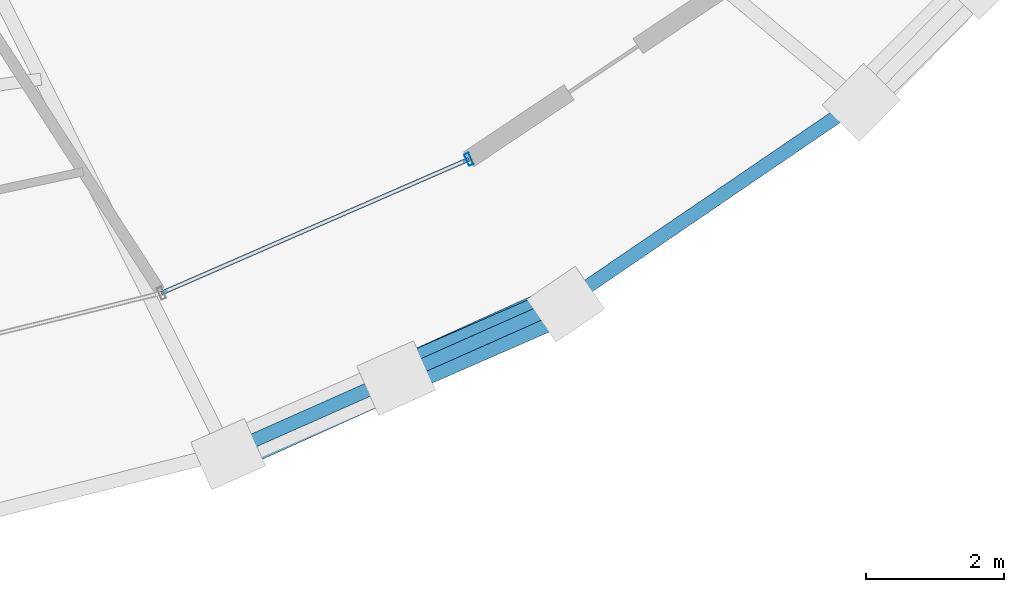
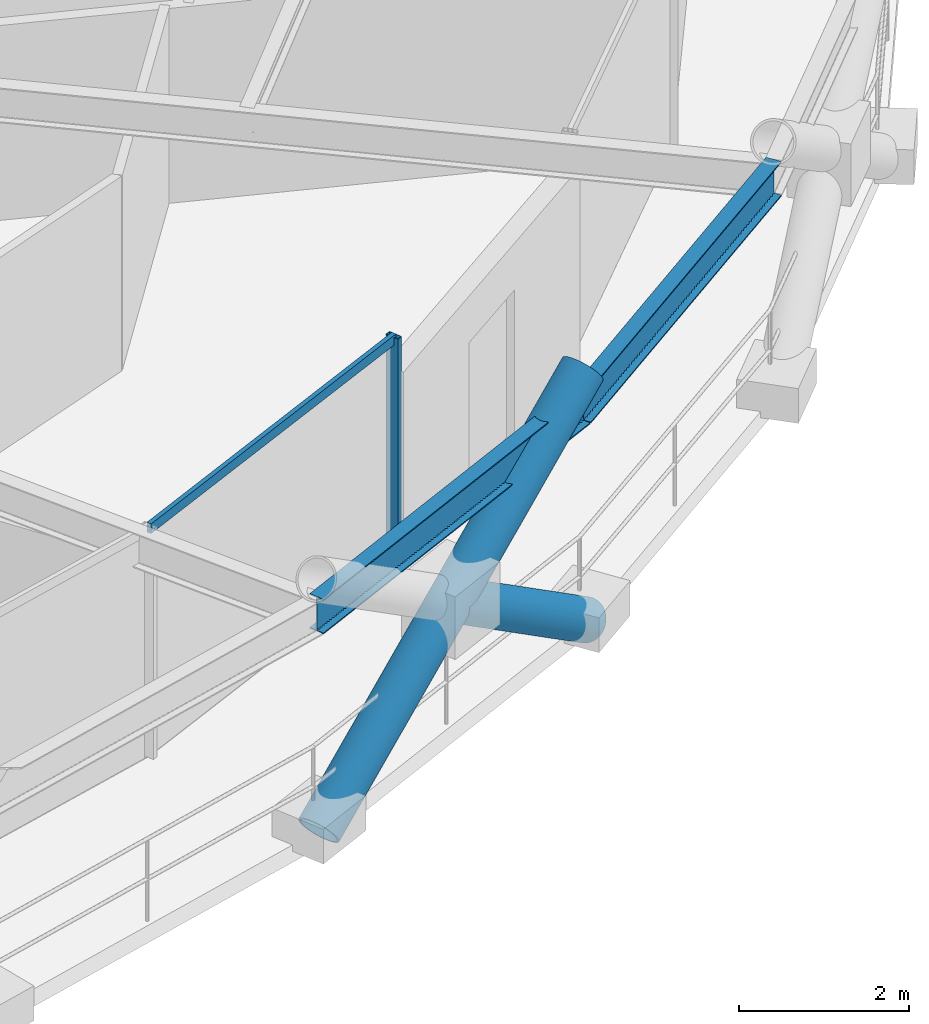
# One storey, part 5 of 19: 4 members, 2 beams, 1 element without a shape of its own.
"""IFC4 building model written with IfcOpenShell, lengths in metres."""

from ifc_helpers import new_model, si_unit, direction, frame, origin, origin_2d, place, context, subcontext, project, spatial, hollow_rectangle, hollow_circle, i_section, extrude, material, layer, layer_set, material_profile, profile_set, type_object, element, aggregate, save


model = new_model("IFC4")

# Units and contexts
model_context = context("Model", 3, precision=1e-05, world=origin(), true_north=direction((0.0, 1.0)))
body_context = subcontext(model_context, "Body", "Model", "MODEL_VIEW")
ifc_project = project(units=[si_unit("LENGTHUNIT", "METRE"), si_unit("AREAUNIT", "SQUARE_METRE"), si_unit("VOLUMEUNIT", "CUBIC_METRE"), si_unit("PLANEANGLEUNIT", "RADIAN"), si_unit("MASSUNIT", "GRAM", prefix="KILO")], contexts=[model_context])

# Site, building, storey
site_placement = place(None, origin())
site = spatial("IfcSite", under=ifc_project, at=site_placement, CompositionType="ELEMENT")
building_placement = place(site_placement, origin())
building = spatial("IfcBuilding", under=site, at=building_placement, Name="Veldorina Hangang Commons", CompositionType="ELEMENT")
storey_placement = place(building_placement, frame((0.0, 0.0, 156.800048828125)))
storey = spatial("IfcBuildingStorey", under=building, at=storey_placement, Name="L40", CompositionType="ELEMENT", Elevation=156.800048828125)

# Beams
ifc_material_1 = material(Name="Steel SM420-TMC", Category="steel")
ifc_material_profile_1 = material_profile(ifc_material_1, i_section(OverallWidth=0.199951171875, OverallDepth=0.5, WebThickness=0.010009765625, FlangeThickness=0.01611328125, FilletRadius=0.01611328125, at=origin_2d()), Name="H-500x200x10x16")
ifc_profile_set_1 = profile_set([ifc_material_profile_1], Name="Steel SM420-TMC")
beam_type = type_object("IfcBeamType", Name="BM-RB500", PredefinedType="BEAM", material=ifc_profile_set_1)
beam_1_placement = place(storey_placement, frame((42.789794921875, 2.347412109375, 3.099853515625), z_axis=(0.913866274183, 0.406015311177, 0.0), x_axis=(-0.406015311177, 0.913866274183, 0.0)))
element("IfcBeam", 1, at=beam_1_placement, inside=storey, type_object=beam_type, Name="L40 perimeter hoop ring beam 26", PredefinedType="BEAM", context=body_context, shape_type="SweptSolid", body=[
    extrude(i_section(OverallWidth=0.199951171875, OverallDepth=0.5, WebThickness=0.010009765625, FlangeThickness=0.01611328125, FilletRadius=0.01611328125, at=origin_2d()), origin(), (0.0, 0.0, 1.0), 5.334228515625),
])
beam_2_placement = place(storey_placement, frame((47.66455078125, 4.51318359375, 3.099853515625), z_axis=(0.826091495569, 0.563536015663, 0.0), x_axis=(-0.563536015663, 0.826091495569, 0.0)))
element("IfcBeam", 2, at=beam_2_placement, inside=storey, type_object=beam_type, Name="L40 perimeter hoop ring beam 27", PredefinedType="BEAM", context=body_context, shape_type="SweptSolid", body=[
    extrude(i_section(OverallWidth=0.199951171875, OverallDepth=0.5, WebThickness=0.010009765625, FlangeThickness=0.01611328125, FilletRadius=0.01611328125, at=origin_2d()), origin(), (0.0, 0.0, 1.0), 5.171875),
])

# Curtain wall, members
ifc_material_2 = material(Name="Glass Low-E Triple IGU", Category="glass")
ifc_layer = layer(ifc_material_2, 0.179931640625)
ifc_layer_set = layer_set([ifc_layer], Name="Glass Low-E Triple IGU")
curtain_wall_type = type_object("IfcCurtainWallType", Name="CW-SYS-Z2", PredefinedType="NOTDEFINED", material=ifc_layer_set)
curtain_wall_placement = place(storey_placement, origin())
curtain_wall = element("IfcCurtainWall", 3, at=curtain_wall_placement, inside=storey, type_object=curtain_wall_type, Name="L40 unitised curtain wall CW-L40-R1", PredefinedType="NOTDEFINED")
ifc_material_3 = material(Name="Aluminium Anodized AA6063-T6", Category="aluminium")
ifc_material_profile_2 = material_profile(ifc_material_3, hollow_rectangle(XDim=0.070068359375, YDim=0.179931640625, WallThickness=0.00390625, at=origin_2d()), Name="ALU-RHS-180x70x4")
ifc_profile_set_2 = profile_set([ifc_material_profile_2], Name="Aluminium Anodized AA6063-T6")
member_type_1 = type_object("IfcMemberType", Name="CW-MUL-180", PredefinedType="MULLION", material=ifc_profile_set_2)
member_1_placement = place(storey_placement, frame((46.286376953125, 6.58544921875, 0.0), z_axis=(0.0, 0.0, 1.0), x_axis=(-0.916872066496, -0.399181179014, 0.0)))
member_1 = element("IfcMember", 4, at=member_1_placement, type_object=member_type_1, Name="CW-L40-R1 vertical mullion 5", PredefinedType="MULLION", context=body_context, shape_type="SweptSolid", body=[
    extrude(hollow_rectangle(XDim=0.070068359375, YDim=0.179931640625, WallThickness=0.00390625, at=origin_2d()), origin(), (0.0, 0.0, 1.0), 3.31005859375),
])
ifc_material_profile_3 = material_profile(ifc_material_3, hollow_rectangle(XDim=0.06005859375, YDim=0.139892578125, WallThickness=0.00341796875, at=origin_2d()), Name="ALU-RHS-140x60x3.5")
ifc_profile_set_3 = profile_set([ifc_material_profile_3], Name="Aluminium Anodized AA6063-T6")
member_type_2 = type_object("IfcMemberType", Name="CW-TRN-140", PredefinedType="USERDEFINED", material=ifc_profile_set_3)
member_2_placement = place(storey_placement, frame((41.8408203125, 4.64990234375, 3.27001953125), z_axis=(0.916866606229, 0.399193720368, 0.0), x_axis=(-0.399193720368, 0.916866606229, 0.0)))
member_2 = element("IfcMember", 5, at=member_2_placement, type_object=member_type_2, Name="CW-L40-R1 facet 4 transom 1", ObjectType="TRANSOM", PredefinedType="USERDEFINED", context=body_context, shape_type="SweptSolid", body=[
    extrude(hollow_rectangle(XDim=0.06005859375, YDim=0.139892578125, WallThickness=0.00341796875, at=origin_2d()), origin(), (0.0, 0.0, 1.0), 4.8486328125),
])
aggregate(curtain_wall, [member_1, member_2])

# Members
ifc_material_profile_4 = material_profile(ifc_material_1, hollow_circle(Radius=0.27490234375, WallThickness=0.028076171875, at=origin_2d()), Name="CHS-550x28")
ifc_profile_set_4 = profile_set([ifc_material_profile_4], Name="Steel SM420-TMC")
member_type_3 = type_object("IfcMemberType", Name="DG-CHS550", PredefinedType="BRACE", material=ifc_profile_set_4)
member_3_placement = place(storey_placement, frame((42.804931640625, 2.32177734375, 0.0), z_axis=(0.755087408095, 0.34132684194, 0.559766909621), x_axis=(-0.411907073084, 0.911225857372, 0.0)))
element("IfcMember", 6, at=member_3_placement, inside=storey, type_object=member_type_3, Name="L40 continuous perimeter diagrid brace 26", PredefinedType="BRACE", context=body_context, shape_type="SweptSolid", body=[
    extrude(hollow_circle(Radius=0.27490234375, WallThickness=0.028076171875, at=origin_2d()), origin(), (0.0, 0.0, 1.0), 6.430908203125),
])
member_4_placement = place(storey_placement, frame((47.6865234375, 4.489990234375, 0.0), z_axis=(-0.760237289689, -0.331742661165, 0.558557132377), x_axis=(0.39994724406, -0.916538161764, 0.0)))
element("IfcMember", 7, at=member_4_placement, inside=storey, type_object=member_type_3, Name="L40 split perimeter diagrid lower brace 27", PredefinedType="BRACE", context=body_context, shape_type="SweptSolid", body=[
    extrude(hollow_circle(Radius=0.27490234375, WallThickness=0.028076171875, at=origin_2d()), origin(), (0.0, 0.0, 1.0), 3.224853515625),
])

save(model, "model.ifc")
